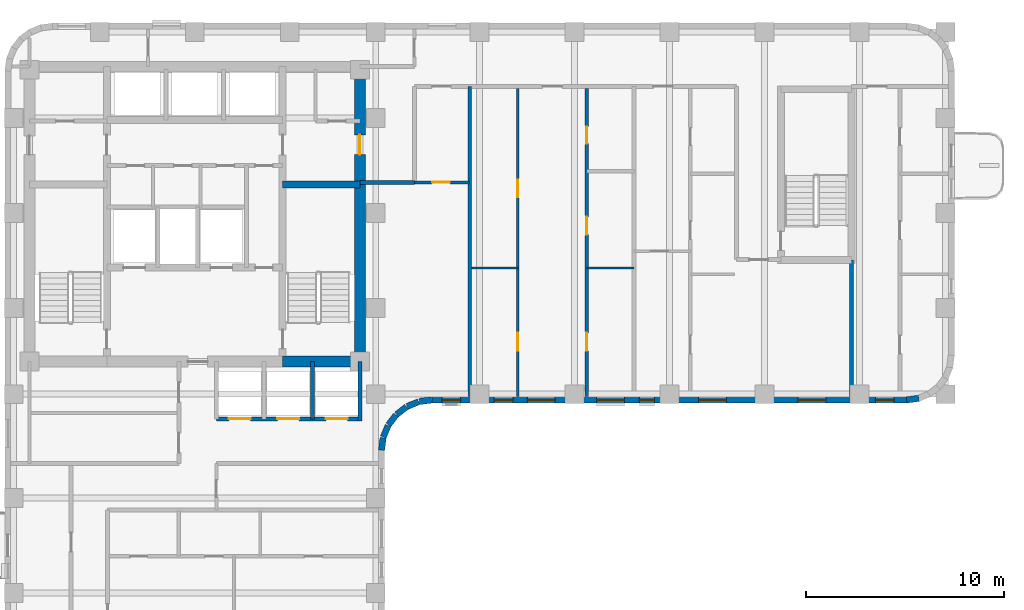
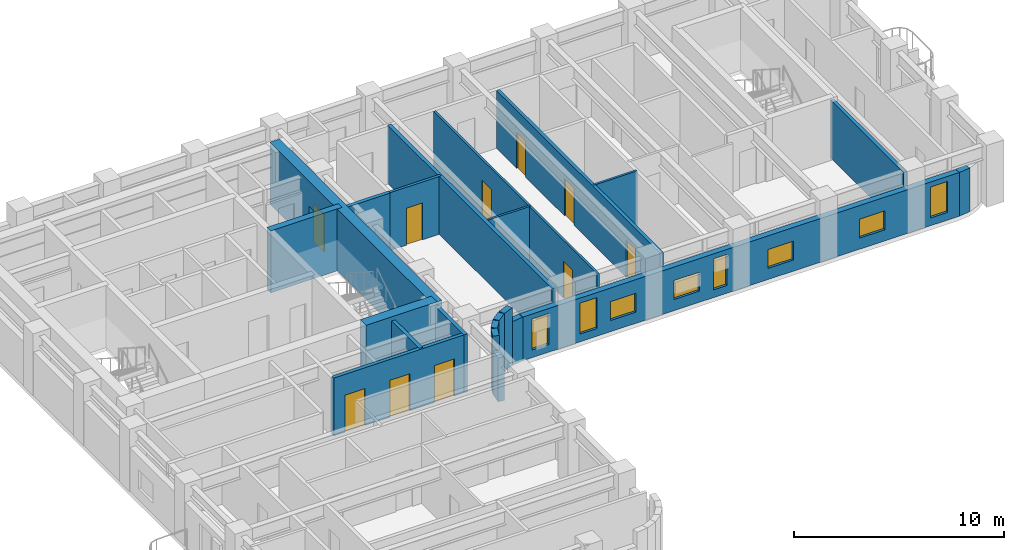
# One storey, part 6 of 11: 22 walls, 10 doors, 8 windows, 18 openings.
"""IFC4 building model written with IfcOpenShell, lengths in metres."""

from ifc_helpers import new_model, si_unit, direction, frame, frame_2d, origin, place, context, subcontext, project, spatial, rectangle, extrude, material, layer, layer_set, type_object, element, fill, save


model = new_model("IFC4")

# Units and contexts
model_context = context("Model", 3, precision=1e-05, world=origin(), true_north=direction((0.0, 1.0)))
body_context = subcontext(model_context, "Body", "Model", "MODEL_VIEW")
ifc_project = project(units=[si_unit("LENGTHUNIT", "METRE"), si_unit("AREAUNIT", "SQUARE_METRE"), si_unit("VOLUMEUNIT", "CUBIC_METRE"), si_unit("PLANEANGLEUNIT", "RADIAN"), si_unit("MASSUNIT", "GRAM", prefix="KILO")], contexts=[model_context])

# Site, building, storey
site_placement = place(None, origin())
site = spatial("IfcSite", under=ifc_project, at=site_placement, CompositionType="ELEMENT")
building_placement = place(site_placement, origin())
building = spatial("IfcBuilding", under=site, at=building_placement, Name="Orvandelia Arch Residences", CompositionType="ELEMENT")
storey_placement = place(building_placement, frame((0.0, 0.0, 146.800048828125)))
storey = spatial("IfcBuildingStorey", under=building, at=storey_placement, Name="L38", CompositionType="ELEMENT", Elevation=146.800048828125)

# Wall
ifc_material_1 = material(Name="Concrete C50/60", Category="concrete")
ifc_layer_1 = layer(ifc_material_1, 0.35009765625, Name="Concrete C50/60", Category="concrete")
ifc_layer_set_1 = layer_set([ifc_layer_1], Name="Concrete C50/60")
wall_type_1 = type_object("IfcWallType", Name="WL-CORE-350", PredefinedType="SHEAR", material=ifc_layer_set_1)
wall_1_placement = place(storey_placement, frame((18.840087890625, 39.85009765625, 0.0), z_axis=(0.0, 0.0, 1.0), x_axis=(1.0, 0.0, 0.0)))
element("IfcWall", 1, at=wall_1_placement, inside=storey, type_object=wall_type_1, Name="Core Shear Wall L38-HZ2", PredefinedType="SHEAR", context=body_context, shape_type="SweptSolid", body=[
    extrude(rectangle(XDim=3.909912109375, YDim=0.35009765625, at=frame_2d((1.955078125, 0.0))), origin(), (0.0, 0.0, 1.0), 3.599853515625),
])

# Wall, opening, door
ifc_material_2 = material(Name="Concrete C60/75", Category="concrete")
ifc_layer_2 = layer(ifc_material_2, 0.550048828125, Name="Concrete C60/75", Category="concrete")
ifc_layer_set_2 = layer_set([ifc_layer_2], Name="Concrete C60/75")
wall_type_2 = type_object("IfcWallType", Name="WL-CORE-550", PredefinedType="SHEAR", material=ifc_layer_set_2)
wall_2_placement = place(storey_placement, frame((22.75, 30.625, 0.0), z_axis=(0.0, 0.0, 1.0), x_axis=(0.0, 1.0, 0.0)))
wall_2 = element("IfcWall", 2, at=wall_2_placement, inside=storey, type_object=wall_type_2, Name="Core Shear Wall L38-E", PredefinedType="SHEAR", context=body_context, shape_type="SweptSolid", body=[
    extrude(rectangle(XDim=15.449951171875, YDim=0.550048828125, at=frame_2d((7.72509765625, 0.0))), origin(), (0.0, 0.0, 1.0), 3.599853515625),
])
opening_1_placement = place(wall_2_placement, frame((10.72509765625, 0.0, 0.0)))
opening_1 = element("IfcOpeningElement", 3, at=opening_1_placement, cuts=wall_2, Name="Opening D6", PredefinedType="OPENING", context=body_context, shape_type="SweptSolid", body=[
    extrude(rectangle(XDim=1.0, YDim=2.14990234375, at=frame_2d((0.5, 1.074951171875))), frame((0.0, 0.28515625, 0.0), z_axis=(0.0, -1.0, 0.0), x_axis=(1.0, 0.0, 0.0)), (0.0, 0.0, 1.0), 0.570068359375),
])
ifc_material_3 = material(Name="Smokeproof Painted Steel Fire Door", Category="steel")
door_type_1 = type_object("IfcDoorType", Name="DR-FD60-1000", OperationType="NOTDEFINED", PredefinedType="DOOR", material=ifc_material_3)
door_1_placement = place(opening_1_placement, origin())
door_1 = element("IfcDoor", 4, at=door_1_placement, inside=storey, type_object=door_type_1, Name="Core East Corridor Link Door L38", OperationType="SINGLE_SWING_LEFT", OverallHeight=2.14990234375, OverallWidth=1.0, PredefinedType="DOOR", context=body_context, shape_type="SweptSolid", body=[
    extrude(rectangle(XDim=1.0, YDim=2.14990234375, at=frame_2d((0.5, 1.074951171875))), frame((0.0, 0.02490234375, 0.0), z_axis=(0.0, -1.0, 0.0), x_axis=(1.0, 0.0, 0.0)), (0.0, 0.0, 1.0), 0.050048828125),
])
fill(opening_1, door_1)

# Walls
wall_3_placement = place(storey_placement, frame((18.840087890625, 30.89990234375, 0.0), z_axis=(0.0, 0.0, 1.0), x_axis=(1.0, 0.0, 0.0)))
element("IfcWall", 5, at=wall_3_placement, inside=storey, type_object=wall_type_2, Name="Core Shear Wall L38-SE", PredefinedType="SHEAR", context=body_context, shape_type="SweptSolid", body=[
    extrude(rectangle(XDim=3.909912109375, YDim=0.550048828125, at=frame_2d((1.955078125, 0.0))), origin(), (0.0, 0.0, 1.0), 3.599853515625),
])
ifc_material_4 = material(Name="Fire-Rated Corridor Partition")
ifc_layer_3 = layer(ifc_material_4, 0.199951171875, Name="Fire-Rated Corridor Partition")
ifc_layer_set_3 = layer_set([ifc_layer_3], Name="Fire-Rated Corridor Partition")
wall_type_3 = type_object("IfcWallType", Name="WL-CORR-200", PredefinedType="PARTITIONING", material=ifc_layer_set_3)
wall_4_placement = place(storey_placement, frame((22.75, 39.949951171875, 0.0), z_axis=(0.0, 0.0, 1.0), x_axis=(1.0, 0.0, 0.0)))
element("IfcWall", 6, at=wall_4_placement, inside=storey, type_object=wall_type_3, Name="Interior Partition Wall WL-L38-EN2-LS", PredefinedType="PARTITIONING", context=body_context, shape_type="SweptSolid", body=[
    extrude(rectangle(XDim=2.75, YDim=0.199951171875, at=frame_2d((1.375, 0.0))), origin(), (0.0, 0.0, 1.0), 3.35986328125),
])
ifc_material_5 = material(Name="Concrete C40/50", Category="concrete")
ifc_layer_4 = layer(ifc_material_5, 0.199951171875, Name="Concrete C40/50", Category="concrete")
ifc_layer_set_4 = layer_set([ifc_layer_4], Name="Concrete C40/50")
wall_type_4 = type_object("IfcWallType", Name="WL-DEM-200", PredefinedType="SOLIDWALL", material=ifc_layer_set_4)
wall_5_placement = place(storey_placement, frame((28.300048828125, 29.1201171875, 0.0), z_axis=(0.0, 0.0, 1.0), x_axis=(0.0, 1.0, 0.0)))
element("IfcWall", 7, at=wall_5_placement, inside=storey, type_object=wall_type_4, Name="Interior Partition Wall WL-L38-EN2-KLE", PredefinedType="SOLIDWALL", context=body_context, shape_type="SweptSolid", body=[
    extrude(rectangle(XDim=15.679931640625, YDim=0.199951171875, at=frame_2d((7.83984375, 0.0))), origin(), (0.0, 0.0, 1.0), 3.35986328125),
])
wall_6_placement = place(storey_placement, frame((47.60009765625, 29.1201171875, 0.0), z_axis=(0.0, 0.0, 1.0), x_axis=(0.0, 1.0, 0.0)))
element("IfcWall", 8, at=wall_6_placement, inside=storey, type_object=wall_type_4, Name="Interior Partition Wall WL-L38-EN2-SLE", PredefinedType="SOLIDWALL", context=body_context, shape_type="SweptSolid", body=[
    extrude(rectangle(XDim=6.919921875, YDim=0.199951171875, at=frame_2d((3.4599609375, 0.0))), origin(), (0.0, 0.0, 1.0), 3.35986328125),
])
ifc_material_6 = material(Name="Precast concrete C40/50", Category="concrete")
ifc_layer_5 = layer(ifc_material_6, 0.320068359375, Name="Precast concrete C40/50", Category="concrete")
ifc_layer_set_5 = layer_set([ifc_layer_5], Name="Precast concrete C40/50")
wall_type_5 = type_object("IfcWallType", Name="WL-EXT-STONE-320", PredefinedType="STANDARD", material=ifc_layer_set_5)
wall_7_placement = place(storey_placement, frame((51.000244140625, 29.040283203125, 0.0), z_axis=(0.0, 0.0, 1.0), x_axis=(-0.9914410257, -0.130555323746, 0.0)))
element("IfcWall", 9, at=wall_7_placement, inside=storey, type_object=wall_type_5, Name="Coral-Limestone Precast Facade Wall L38-020", PredefinedType="STANDARD", context=body_context, shape_type="SweptSolid", body=[
    extrude(rectangle(XDim=0.62646484375, YDim=0.320068359375, at=frame_2d((0.313232421875, 0.0))), origin(), (0.0, 0.0, 1.0), 2.5400390625),
])

# Wall, openings, windows
wall_8_placement = place(storey_placement, frame((50.39990234375, 28.9599609375, 0.0), z_axis=(0.0, 0.0, 1.0), x_axis=(-1.0, 0.0, 0.0)))
wall_8 = element("IfcWall", 10, at=wall_8_placement, inside=storey, type_object=wall_type_5, Name="Coral-Limestone Precast Facade Wall L38-021", PredefinedType="STANDARD", context=body_context, shape_type="SweptSolid", body=[
    extrude(rectangle(XDim=24.0, YDim=0.320068359375, at=frame_2d((12.0, 0.0))), origin(), (0.0, 0.0, 1.0), 2.5400390625),
])
opening_2_placement = place(wall_8_placement, frame((14.2900390625, 0.0, 0.64990234375)))
opening_2 = element("IfcOpeningElement", 11, at=opening_2_placement, cuts=wall_8, Name="Opening W10", PredefinedType="OPENING", context=body_context, shape_type="SweptSolid", body=[
    extrude(rectangle(XDim=1.39990234375, YDim=1.10009765625, at=frame_2d((0.699951171875, 0.550048828125))), frame((0.0, 0.169921875, 0.0), z_axis=(0.0, -1.0, 0.0), x_axis=(1.0, 0.0, 0.0)), (0.0, 0.0, 1.0), 0.340087890625),
])
opening_3_placement = place(wall_8_placement, frame((19.912109375, 0.0, 0.449951171875)))
opening_3 = element("IfcOpeningElement", 12, at=opening_3_placement, cuts=wall_8, Name="Opening W4", PredefinedType="OPENING", context=body_context, shape_type="SweptSolid", body=[
    extrude(rectangle(XDim=0.949951171875, YDim=1.800048828125, at=frame_2d((0.47509765625, 0.89990234375))), frame((0.0, 0.169921875, 0.0), z_axis=(0.0, -1.0, 0.0), x_axis=(1.0, 0.0, 0.0)), (0.0, 0.0, 1.0), 0.340087890625),
])
opening_4_placement = place(wall_8_placement, frame((9.135009765625, 0.0, 0.64990234375)))
opening_4 = element("IfcOpeningElement", 13, at=opening_4_placement, cuts=wall_8, Name="Opening W10", PredefinedType="OPENING", context=body_context, shape_type="SweptSolid", body=[
    extrude(rectangle(XDim=1.39990234375, YDim=1.10009765625, at=frame_2d((0.699951171875, 0.550048828125))), frame((0.0, 0.169921875, 0.0), z_axis=(0.0, -1.0, 0.0), x_axis=(1.0, 0.0, 0.0)), (0.0, 0.0, 1.0), 0.340087890625),
])
opening_5_placement = place(wall_8_placement, frame((22.554931640625, 0.0, 0.449951171875)))
opening_5 = element("IfcOpeningElement", 14, at=opening_5_placement, cuts=wall_8, Name="Opening W4", PredefinedType="OPENING", context=body_context, shape_type="SweptSolid", body=[
    extrude(rectangle(XDim=0.949951171875, YDim=1.800048828125, at=frame_2d((0.47509765625, 0.89990234375))), frame((0.0, 0.169921875, 0.0), z_axis=(0.0, -1.0, 0.0), x_axis=(1.0, 0.0, 0.0)), (0.0, 0.0, 1.0), 0.340087890625),
])
opening_6_placement = place(wall_8_placement, frame((4.10009765625, 0.0, 0.64990234375)))
opening_6 = element("IfcOpeningElement", 15, at=opening_6_placement, cuts=wall_8, Name="Opening W10", PredefinedType="OPENING", context=body_context, shape_type="SweptSolid", body=[
    extrude(rectangle(XDim=1.39990234375, YDim=1.10009765625, at=frame_2d((0.699951171875, 0.550048828125))), frame((0.0, 0.169921875, 0.0), z_axis=(0.0, -1.0, 0.0), x_axis=(1.0, 0.0, 0.0)), (0.0, 0.0, 1.0), 0.340087890625),
])
opening_7_placement = place(wall_8_placement, frame((17.781982421875, 0.0, 0.64990234375)))
opening_7 = element("IfcOpeningElement", 16, at=opening_7_placement, cuts=wall_8, Name="Opening W10", PredefinedType="OPENING", context=body_context, shape_type="SweptSolid", body=[
    extrude(rectangle(XDim=1.39990234375, YDim=1.10009765625, at=frame_2d((0.699951171875, 0.550048828125))), frame((0.0, 0.169921875, 0.0), z_axis=(0.0, -1.0, 0.0), x_axis=(1.0, 0.0, 0.0)), (0.0, 0.0, 1.0), 0.340087890625),
])
opening_8_placement = place(wall_8_placement, frame((12.7724609375, 0.0, 0.449951171875)))
opening_8 = element("IfcOpeningElement", 17, at=opening_8_placement, cuts=wall_8, Name="Opening W11", PredefinedType="OPENING", context=body_context, shape_type="SweptSolid", body=[
    extrude(rectangle(XDim=0.75, YDim=1.800048828125, at=frame_2d((0.375, 0.89990234375))), frame((0.0, 0.169921875, 0.0), z_axis=(0.0, -1.0, 0.0), x_axis=(1.0, 0.0, 0.0)), (0.0, 0.0, 1.0), 0.340087890625),
])
opening_9_placement = place(wall_8_placement, frame((0.656005859375, 0.0, 0.449951171875)))
opening_9 = element("IfcOpeningElement", 18, at=opening_9_placement, cuts=wall_8, Name="Opening W4", PredefinedType="OPENING", context=body_context, shape_type="SweptSolid", body=[
    extrude(rectangle(XDim=0.949951171875, YDim=1.800048828125, at=frame_2d((0.47509765625, 0.89990234375))), frame((0.0, 0.169921875, 0.0), z_axis=(0.0, -1.0, 0.0), x_axis=(1.0, 0.0, 0.0)), (0.0, 0.0, 1.0), 0.340087890625),
])
ifc_material_7 = material(Name="Tempered Low-E Insulated Glazing", Category="glass")
window_type_1 = type_object("IfcWindowType", Name="WIN-BED-0750x1800", PartitioningType="SINGLE_PANEL", PredefinedType="WINDOW", material=ifc_material_7)
window_1_placement = place(opening_8_placement, origin())
window_1 = element("IfcWindow", 19, at=window_1_placement, inside=storey, type_object=window_type_1, Name="Recessed Punched Window L38-012", OverallHeight=1.800048828125, OverallWidth=0.75, PartitioningType="SINGLE_PANEL", PredefinedType="WINDOW", context=body_context, shape_type="SweptSolid", body=[
    extrude(rectangle(XDim=0.75, YDim=1.800048828125, at=frame_2d((0.375, 0.89990234375))), frame((0.0, 0.030029296875, 0.0), z_axis=(0.0, -1.0, 0.0), x_axis=(1.0, 0.0, 0.0)), (0.0, 0.0, 1.0), 0.06005859375),
])
fill(opening_8, window_1)
window_type_2 = type_object("IfcWindowType", Name="WIN-CLR-1400x1100", PartitioningType="SINGLE_PANEL", PredefinedType="WINDOW", material=ifc_material_7)
window_2_placement = place(opening_2_placement, origin())
window_2 = element("IfcWindow", 20, at=window_2_placement, inside=storey, type_object=window_type_2, Name="Recessed Punched Window L38-006", OverallHeight=1.10009765625, OverallWidth=1.39990234375, PartitioningType="SINGLE_PANEL", PredefinedType="WINDOW", context=body_context, shape_type="SweptSolid", body=[
    extrude(rectangle(XDim=1.39990234375, YDim=1.10009765625, at=frame_2d((0.699951171875, 0.550048828125))), frame((0.0, 0.030029296875, 0.0), z_axis=(0.0, -1.0, 0.0), x_axis=(1.0, 0.0, 0.0)), (0.0, 0.0, 1.0), 0.06005859375),
])
fill(opening_2, window_2)
window_3_placement = place(opening_4_placement, origin())
window_3 = element("IfcWindow", 21, at=window_3_placement, inside=storey, type_object=window_type_2, Name="Recessed Punched Window L38-008", OverallHeight=1.10009765625, OverallWidth=1.39990234375, PartitioningType="SINGLE_PANEL", PredefinedType="WINDOW", context=body_context, shape_type="SweptSolid", body=[
    extrude(rectangle(XDim=1.39990234375, YDim=1.10009765625, at=frame_2d((0.699951171875, 0.550048828125))), frame((0.0, 0.030029296875, 0.0), z_axis=(0.0, -1.0, 0.0), x_axis=(1.0, 0.0, 0.0)), (0.0, 0.0, 1.0), 0.06005859375),
])
fill(opening_4, window_3)
window_4_placement = place(opening_6_placement, origin())
window_4 = element("IfcWindow", 22, at=window_4_placement, inside=storey, type_object=window_type_2, Name="Recessed Punched Window L38-010", OverallHeight=1.10009765625, OverallWidth=1.39990234375, PartitioningType="SINGLE_PANEL", PredefinedType="WINDOW", context=body_context, shape_type="SweptSolid", body=[
    extrude(rectangle(XDim=1.39990234375, YDim=1.10009765625, at=frame_2d((0.699951171875, 0.550048828125))), frame((0.0, 0.030029296875, 0.0), z_axis=(0.0, -1.0, 0.0), x_axis=(1.0, 0.0, 0.0)), (0.0, 0.0, 1.0), 0.06005859375),
])
fill(opening_6, window_4)
window_5_placement = place(opening_7_placement, origin())
window_5 = element("IfcWindow", 23, at=window_5_placement, inside=storey, type_object=window_type_2, Name="Recessed Punched Window L38-011", OverallHeight=1.10009765625, OverallWidth=1.39990234375, PartitioningType="SINGLE_PANEL", PredefinedType="WINDOW", context=body_context, shape_type="SweptSolid", body=[
    extrude(rectangle(XDim=1.39990234375, YDim=1.10009765625, at=frame_2d((0.699951171875, 0.550048828125))), frame((0.0, 0.030029296875, 0.0), z_axis=(0.0, -1.0, 0.0), x_axis=(1.0, 0.0, 0.0)), (0.0, 0.0, 1.0), 0.06005859375),
])
fill(opening_7, window_5)
window_type_3 = type_object("IfcWindowType", Name="WIN-RES-0950x1800", PartitioningType="SINGLE_PANEL", PredefinedType="WINDOW", material=ifc_material_7)
window_6_placement = place(opening_3_placement, origin())
window_6 = element("IfcWindow", 24, at=window_6_placement, inside=storey, type_object=window_type_3, Name="Recessed Punched Window L38-007", OverallHeight=1.800048828125, OverallWidth=0.949951171875, PartitioningType="SINGLE_PANEL", PredefinedType="WINDOW", context=body_context, shape_type="SweptSolid", body=[
    extrude(rectangle(XDim=0.949951171875, YDim=1.800048828125, at=frame_2d((0.47509765625, 0.89990234375))), frame((0.0, 0.030029296875, 0.0), z_axis=(0.0, -1.0, 0.0), x_axis=(1.0, 0.0, 0.0)), (0.0, 0.0, 1.0), 0.06005859375),
])
fill(opening_3, window_6)
window_7_placement = place(opening_5_placement, origin())
window_7 = element("IfcWindow", 25, at=window_7_placement, inside=storey, type_object=window_type_3, Name="Recessed Punched Window L38-009", OverallHeight=1.800048828125, OverallWidth=0.949951171875, PartitioningType="SINGLE_PANEL", PredefinedType="WINDOW", context=body_context, shape_type="SweptSolid", body=[
    extrude(rectangle(XDim=0.949951171875, YDim=1.800048828125, at=frame_2d((0.47509765625, 0.89990234375))), frame((0.0, 0.030029296875, 0.0), z_axis=(0.0, -1.0, 0.0), x_axis=(1.0, 0.0, 0.0)), (0.0, 0.0, 1.0), 0.06005859375),
])
fill(opening_5, window_7)
window_8_placement = place(opening_9_placement, origin())
window_8 = element("IfcWindow", 26, at=window_8_placement, inside=storey, type_object=window_type_3, Name="Recessed Punched Window L38-013", OverallHeight=1.800048828125, OverallWidth=0.949951171875, PartitioningType="SINGLE_PANEL", PredefinedType="WINDOW", context=body_context, shape_type="SweptSolid", body=[
    extrude(rectangle(XDim=0.949951171875, YDim=1.800048828125, at=frame_2d((0.47509765625, 0.89990234375))), frame((0.0, 0.030029296875, 0.0), z_axis=(0.0, -1.0, 0.0), x_axis=(1.0, 0.0, 0.0)), (0.0, 0.0, 1.0), 0.06005859375),
])
fill(opening_9, window_8)

# Walls
wall_9_placement = place(storey_placement, frame((26.379150390625, 28.95849609375, 0.0), z_axis=(0.0, 0.0, 1.0), x_axis=(-0.991447664465, -0.130504898859, 0.0)))
element("IfcWall", 27, at=wall_9_placement, inside=storey, type_object=wall_type_5, Name="Coral-Limestone Precast Facade Wall L38-022", PredefinedType="STANDARD", context=body_context, shape_type="SweptSolid", body=[
    extrude(rectangle(XDim=0.626708984375, YDim=0.320068359375, at=frame_2d((0.3134765625, 0.0))), origin(), (0.0, 0.0, 1.0), 2.5400390625),
])
wall_10_placement = place(storey_placement, frame((25.717529296875, 28.865966796875, 0.0), z_axis=(0.0, 0.0, 1.0), x_axis=(-0.923836271867, -0.382787856107, 0.0)))
element("IfcWall", 28, at=wall_10_placement, inside=storey, type_object=wall_type_5, Name="Coral-Limestone Precast Facade Wall L38-023", PredefinedType="STANDARD", context=body_context, shape_type="SweptSolid", body=[
    extrude(rectangle(XDim=0.626220703125, YDim=0.320068359375, at=frame_2d((0.31298828125, 0.0))), origin(), (0.0, 0.0, 1.0), 3.35986328125),
])
for number, where, z_axis, x_axis, name in (
    (29, (25.1025390625, 28.60546875, 0.0), (0.0, 0.0, 1.0), (-0.793405610854, -0.608693302629, 0.0), "Coral-Limestone Precast Facade Wall L38-024"),
    (30, (24.575927734375, 28.194580078125, 0.0), (0.0, 0.0, 1.0), (-0.608693302629, -0.793405610854, 0.0), "Coral-Limestone Precast Facade Wall L38-025"),
):
    element("IfcWall", number, at=place(storey_placement, frame(where, z_axis=z_axis, x_axis=x_axis)), inside=storey, type_object=wall_type_5, Name=name, PredefinedType="STANDARD", context=body_context, shape_type="SweptSolid", body=[
        extrude(rectangle(XDim=0.62646484375, YDim=0.320068359375, at=frame_2d((0.313232421875, 0.0))), origin(), (0.0, 0.0, 1.0), 3.35986328125),
    ])
wall_11_placement = place(storey_placement, frame((24.173583984375, 27.6611328125, 0.0), z_axis=(0.0, 0.0, 1.0), x_axis=(-0.382455093999, -0.923974080304, 0.0)))
element("IfcWall", 31, at=wall_11_placement, inside=storey, type_object=wall_type_5, Name="Coral-Limestone Precast Facade Wall L38-026", PredefinedType="STANDARD", context=body_context, shape_type="SweptSolid", body=[
    extrude(rectangle(XDim=0.626220703125, YDim=0.320068359375, at=frame_2d((0.31298828125, 0.0))), origin(), (0.0, 0.0, 1.0), 3.35986328125),
])
wall_12_placement = place(storey_placement, frame((23.923095703125, 27.0419921875, 0.0), z_axis=(0.0, 0.0, 1.0), x_axis=(-0.130555323746, -0.9914410257, 0.0)))
element("IfcWall", 32, at=wall_12_placement, inside=storey, type_object=wall_type_5, Name="Coral-Limestone Precast Facade Wall L38-027", PredefinedType="STANDARD", context=body_context, shape_type="SweptSolid", body=[
    extrude(rectangle(XDim=0.62646484375, YDim=0.320068359375, at=frame_2d((0.313232421875, 0.0))), origin(), (0.0, 0.0, 1.0), 2.5400390625),
])

# Wall, openings, doors
ifc_material_8 = material(Name="Lightweight Gypsum Stud Partition")
ifc_layer_6 = layer(ifc_material_8, 0.1201171875, Name="Lightweight Gypsum Stud Partition")
ifc_layer_set_6 = layer_set([ifc_layer_6], Name="Lightweight Gypsum Stud Partition")
wall_type_6 = type_object("IfcWallType", Name="WL-PART-120", PredefinedType="PARTITIONING", material=ifc_layer_set_6)
wall_13_placement = place(storey_placement, frame((30.73095703125, 29.1201171875, 0.0), z_axis=(0.0, 0.0, 1.0), x_axis=(0.0, 1.0, 0.0)))
wall_13 = element("IfcWall", 33, at=wall_13_placement, inside=storey, type_object=wall_type_6, Name="Interior Partition Wall WL-L38-U03-VB", PredefinedType="PARTITIONING", context=body_context, shape_type="SweptSolid", body=[
    extrude(rectangle(XDim=15.579833984375, YDim=0.1201171875, at=frame_2d((7.7900390625, 0.0))), origin(), (0.0, 0.0, 1.0), 3.35986328125),
])
opening_10_placement = place(wall_13_placement, frame((2.323486328125, 0.0, 0.0)))
opening_10 = element("IfcOpeningElement", 34, at=opening_10_placement, cuts=wall_13, Name="Opening D3", PredefinedType="OPENING", context=body_context, shape_type="SweptSolid", body=[
    extrude(rectangle(XDim=0.89990234375, YDim=2.14990234375, at=frame_2d((0.449951171875, 1.074951171875))), frame((0.0, 0.070068359375, 0.0), z_axis=(0.0, -1.0, 0.0), x_axis=(1.0, 0.0, 0.0)), (0.0, 0.0, 1.0), 0.14013671875),
])
opening_11_placement = place(wall_13_placement, frame((10.073486328125, 0.0, 0.0)))
opening_11 = element("IfcOpeningElement", 35, at=opening_11_placement, cuts=wall_13, Name="Opening D3", PredefinedType="OPENING", context=body_context, shape_type="SweptSolid", body=[
    extrude(rectangle(XDim=0.89990234375, YDim=2.14990234375, at=frame_2d((0.449951171875, 1.074951171875))), frame((0.0, 0.070068359375, 0.0), z_axis=(0.0, -1.0, 0.0), x_axis=(1.0, 0.0, 0.0)), (0.0, 0.0, 1.0), 0.14013671875),
])
ifc_material_9 = material(Name="Engineered Timber Flush Door", Category="wood")
door_type_2 = type_object("IfcDoorType", Name="DR-INT-900", OperationType="NOTDEFINED", PredefinedType="DOOR", material=ifc_material_9)
door_2_placement = place(opening_10_placement, origin())
door_2 = element("IfcDoor", 36, at=door_2_placement, inside=storey, type_object=door_type_2, Name="DR-L38-U03-BD2", OperationType="SINGLE_SWING_RIGHT", OverallHeight=2.14990234375, OverallWidth=0.89990234375, PredefinedType="DOOR", context=body_context, shape_type="SweptSolid", body=[
    extrude(rectangle(XDim=0.89990234375, YDim=2.14990234375, at=frame_2d((0.449951171875, 1.074951171875))), frame((0.0, 0.02490234375, 0.0), z_axis=(0.0, -1.0, 0.0), x_axis=(1.0, 0.0, 0.0)), (0.0, 0.0, 1.0), 0.050048828125),
])
fill(opening_10, door_2)
door_3_placement = place(opening_11_placement, origin())
door_3 = element("IfcDoor", 37, at=door_3_placement, inside=storey, type_object=door_type_2, Name="DR-L38-U03-STDY", OperationType="SINGLE_SWING_LEFT", OverallHeight=2.14990234375, OverallWidth=0.89990234375, PredefinedType="DOOR", context=body_context, shape_type="SweptSolid", body=[
    extrude(rectangle(XDim=0.89990234375, YDim=2.14990234375, at=frame_2d((0.449951171875, 1.074951171875))), frame((0.0, 0.02490234375, 0.0), z_axis=(0.0, -1.0, 0.0), x_axis=(1.0, 0.0, 0.0)), (0.0, 0.0, 1.0), 0.050048828125),
])
fill(opening_11, door_3)

# Walls
wall_14_placement = place(storey_placement, frame((28.39990234375, 35.62890625, 0.0), z_axis=(0.0, 0.0, 1.0), x_axis=(1.0, 0.0, 0.0)))
element("IfcWall", 38, at=wall_14_placement, inside=storey, type_object=wall_type_6, Name="Interior Partition Wall WL-L38-U03-HB", PredefinedType="PARTITIONING", context=body_context, shape_type="SweptSolid", body=[
    extrude(rectangle(XDim=2.3310546875, YDim=0.1201171875, at=frame_2d((1.16552734375, 0.0))), origin(), (0.0, 0.0, 1.0), 3.35986328125),
])
wall_15_placement = place(storey_placement, frame((34.219970703125, 35.62890625, 0.0), z_axis=(0.0, 0.0, 1.0), x_axis=(1.0, 0.0, 0.0)))
element("IfcWall", 39, at=wall_15_placement, inside=storey, type_object=wall_type_6, Name="Interior Partition Wall WL-L38-U03-H1", PredefinedType="PARTITIONING", context=body_context, shape_type="SweptSolid", body=[
    extrude(rectangle(XDim=2.380126953125, YDim=0.1201171875, at=frame_2d((1.18994140625, 0.0))), origin(), (0.0, 0.0, 1.0), 3.35986328125),
])

# Wall, opening, door
ifc_material_10 = material(Name="Acoustic Gypsum Stud Partition")
ifc_layer_7 = layer(ifc_material_10, 0.14990234375, Name="Acoustic Gypsum Stud Partition")
ifc_layer_set_7 = layer_set([ifc_layer_7], Name="Acoustic Gypsum Stud Partition")
wall_type_7 = type_object("IfcWallType", Name="WL-PART-150", PredefinedType="PARTITIONING", material=ifc_layer_set_7)
wall_16_placement = place(storey_placement, frame((25.5, 39.949951171875, 0.0), z_axis=(0.0, 0.0, 1.0), x_axis=(1.0, 0.0, 0.0)))
wall_16 = element("IfcWall", 40, at=wall_16_placement, inside=storey, type_object=wall_type_7, Name="Interior Partition Wall WL-L38-EN2-KLN", PredefinedType="PARTITIONING", context=body_context, shape_type="SweptSolid", body=[
    extrude(rectangle(XDim=2.800048828125, YDim=0.14990234375, at=frame_2d((1.39990234375, 0.0))), origin(), (0.0, 0.0, 1.0), 3.35986328125),
])
opening_12_placement = place(wall_16_placement, frame((0.89990234375, 0.0, 0.0)))
opening_12 = element("IfcOpeningElement", 41, at=opening_12_placement, cuts=wall_16, Name="Opening D3", PredefinedType="OPENING", context=body_context, shape_type="SweptSolid", body=[
    extrude(rectangle(XDim=0.89990234375, YDim=2.14990234375, at=frame_2d((0.449951171875, 1.074951171875))), frame((0.0, 0.0849609375, 0.0), z_axis=(0.0, -1.0, 0.0), x_axis=(1.0, 0.0, 0.0)), (0.0, 0.0, 1.0), 0.169921875),
])
door_4_placement = place(opening_12_placement, origin())
door_4 = element("IfcDoor", 42, at=door_4_placement, inside=storey, type_object=door_type_2, Name="DR-L38-EN2KNK", OperationType="SINGLE_SWING_RIGHT", OverallHeight=2.14990234375, OverallWidth=0.89990234375, PredefinedType="DOOR", context=body_context, shape_type="SweptSolid", body=[
    extrude(rectangle(XDim=0.89990234375, YDim=2.14990234375, at=frame_2d((0.449951171875, 1.074951171875))), frame((0.0, 0.02490234375, 0.0), z_axis=(0.0, -1.0, 0.0), x_axis=(1.0, 0.0, 0.0)), (0.0, 0.0, 1.0), 0.050048828125),
])
fill(opening_12, door_4)

# Wall, openings, doors
ifc_material_11 = material(Name="Fire-Rated Shaft Enclosure Wall")
ifc_layer_8 = layer(ifc_material_11, 0.199951171875, Name="Fire-Rated Shaft Enclosure Wall")
ifc_layer_set_8 = layer_set([ifc_layer_8], Name="Fire-Rated Shaft Enclosure Wall")
wall_type_8 = type_object("IfcWallType", Name="WL-SHAFT-200", PredefinedType="POLYGONAL", material=ifc_layer_set_8)
wall_17_placement = place(storey_placement, frame((15.5, 28.0, 0.0), z_axis=(0.0, 0.0, 1.0), x_axis=(1.0, 0.0, 0.0)))
wall_17 = element("IfcWall", 43, at=wall_17_placement, inside=storey, type_object=wall_type_8, Name="Interior Partition Wall WL-L38-BNKM-S", PredefinedType="POLYGONAL", context=body_context, shape_type="SweptSolid", body=[
    extrude(rectangle(XDim=7.25, YDim=0.199951171875, at=frame_2d((3.625, 0.0))), origin(), (0.0, 0.0, 1.0), 3.35986328125),
])
opening_13_placement = place(wall_17_placement, frame((0.625, 0.0, 0.0)))
opening_13 = element("IfcOpeningElement", 44, at=opening_13_placement, cuts=wall_17, Name="Opening LD", PredefinedType="OPENING", context=body_context, shape_type="SweptSolid", body=[
    extrude(rectangle(XDim=1.10009765625, YDim=2.14990234375, at=frame_2d((0.550048828125, 1.074951171875))), frame((0.0, 0.10986328125, 0.0), z_axis=(0.0, -1.0, 0.0), x_axis=(1.0, 0.0, 0.0)), (0.0, 0.0, 1.0), 0.219970703125),
])
opening_14_placement = place(wall_17_placement, frame((3.074951171875, 0.0, 0.0)))
opening_14 = element("IfcOpeningElement", 45, at=opening_14_placement, cuts=wall_17, Name="Opening LD", PredefinedType="OPENING", context=body_context, shape_type="SweptSolid", body=[
    extrude(rectangle(XDim=1.10009765625, YDim=2.14990234375, at=frame_2d((0.550048828125, 1.074951171875))), frame((0.0, 0.10986328125, 0.0), z_axis=(0.0, -1.0, 0.0), x_axis=(1.0, 0.0, 0.0)), (0.0, 0.0, 1.0), 0.219970703125),
])
opening_15_placement = place(wall_17_placement, frame((5.52490234375, 0.0, 0.0)))
opening_15 = element("IfcOpeningElement", 46, at=opening_15_placement, cuts=wall_17, Name="Opening LD", PredefinedType="OPENING", context=body_context, shape_type="SweptSolid", body=[
    extrude(rectangle(XDim=1.10009765625, YDim=2.14990234375, at=frame_2d((0.550048828125, 1.074951171875))), frame((0.0, 0.10986328125, 0.0), z_axis=(0.0, -1.0, 0.0), x_axis=(1.0, 0.0, 0.0)), (0.0, 0.0, 1.0), 0.219970703125),
])
ifc_material_12 = material(Name="Brushed Stainless Steel Sliding Lift Door", Category="steel")
door_type_3 = type_object("IfcDoorType", Name="DR-LIFT-1100", OperationType="NOTDEFINED", PredefinedType="DOOR", material=ifc_material_12)
door_5_placement = place(opening_13_placement, origin())
door_5 = element("IfcDoor", 47, at=door_5_placement, inside=storey, type_object=door_type_3, Name="Lift Landing Door LD-PM1", OperationType="SLIDING_TO_LEFT", OverallHeight=2.14990234375, OverallWidth=1.10009765625, PredefinedType="DOOR", context=body_context, shape_type="SweptSolid", body=[
    extrude(rectangle(XDim=1.10009765625, YDim=2.14990234375, at=frame_2d((0.550048828125, 1.074951171875))), frame((0.0, 0.02490234375, 0.0), z_axis=(0.0, -1.0, 0.0), x_axis=(1.0, 0.0, 0.0)), (0.0, 0.0, 1.0), 0.050048828125),
])
fill(opening_13, door_5)
door_6_placement = place(opening_14_placement, origin())
door_6 = element("IfcDoor", 48, at=door_6_placement, inside=storey, type_object=door_type_3, Name="Lift Landing Door LD-PM2", OperationType="SLIDING_TO_RIGHT", OverallHeight=2.14990234375, OverallWidth=1.10009765625, PredefinedType="DOOR", context=body_context, shape_type="SweptSolid", body=[
    extrude(rectangle(XDim=1.10009765625, YDim=2.14990234375, at=frame_2d((0.550048828125, 1.074951171875))), frame((0.0, 0.02490234375, 0.0), z_axis=(0.0, -1.0, 0.0), x_axis=(1.0, 0.0, 0.0)), (0.0, 0.0, 1.0), 0.050048828125),
])
fill(opening_14, door_6)
door_7_placement = place(opening_15_placement, origin())
door_7 = element("IfcDoor", 49, at=door_7_placement, inside=storey, type_object=door_type_3, Name="Lift Landing Door LD-PM3", OperationType="SLIDING_TO_LEFT", OverallHeight=2.14990234375, OverallWidth=1.10009765625, PredefinedType="DOOR", context=body_context, shape_type="SweptSolid", body=[
    extrude(rectangle(XDim=1.10009765625, YDim=2.14990234375, at=frame_2d((0.550048828125, 1.074951171875))), frame((0.0, 0.02490234375, 0.0), z_axis=(0.0, -1.0, 0.0), x_axis=(1.0, 0.0, 0.0)), (0.0, 0.0, 1.0), 0.050048828125),
])
fill(opening_15, door_7)

# Walls
wall_18_placement = place(storey_placement, frame((22.75, 27.89990234375, 0.0), z_axis=(0.0, 0.0, 1.0), x_axis=(0.0, 1.0, 0.0)))
element("IfcWall", 50, at=wall_18_placement, inside=storey, type_object=wall_type_8, Name="Interior Partition Wall WL-L38-BNKM-E", PredefinedType="POLYGONAL", context=body_context, shape_type="SweptSolid", body=[
    extrude(rectangle(XDim=3.0, YDim=0.199951171875, at=frame_2d((1.5, 0.0))), origin(), (0.0, 0.0, 1.0), 3.35986328125),
])
wall_19_placement = place(storey_placement, frame((20.35009765625, 28.0, 0.0), z_axis=(0.0, 0.0, 1.0), x_axis=(0.0, 1.0, 0.0)))
element("IfcWall", 51, at=wall_19_placement, inside=storey, type_object=wall_type_8, Name="Interior Partition Wall WL-L38-BNKMD-2035", PredefinedType="POLYGONAL", context=body_context, shape_type="SweptSolid", body=[
    extrude(rectangle(XDim=2.89990234375, YDim=0.199951171875, at=frame_2d((1.449951171875, 0.0))), origin(), (0.0, 0.0, 1.0), 3.35986328125),
])

# Wall, openings, doors
ifc_material_13 = material(Name="Moisture-Resistant Plumbing Wall")
ifc_layer_9 = layer(ifc_material_13, 0.179931640625, Name="Moisture-Resistant Plumbing Wall")
ifc_layer_set_9 = layer_set([ifc_layer_9], Name="Moisture-Resistant Plumbing Wall")
wall_type_9 = type_object("IfcWallType", Name="WL-WET-180", PredefinedType="PLUMBINGWALL", material=ifc_layer_set_9)
wall_20_placement = place(storey_placement, frame((34.219970703125, 29.1201171875, 0.0), z_axis=(0.0, 0.0, 1.0), x_axis=(0.0, 1.0, 0.0)))
wall_20 = element("IfcWall", 52, at=wall_20_placement, inside=storey, type_object=wall_type_9, Name="Interior Partition Wall WL-L38-U03-VT", PredefinedType="PLUMBINGWALL", context=body_context, shape_type="SweptSolid", body=[
    extrude(rectangle(XDim=15.579833984375, YDim=0.179931640625, at=frame_2d((7.7900390625, 0.0))), origin(), (0.0, 0.0, 1.0), 3.35986328125),
])
opening_16_placement = place(wall_20_placement, frame((2.323486328125, 0.0, 0.0)))
opening_16 = element("IfcOpeningElement", 53, at=opening_16_placement, cuts=wall_20, Name="Opening D3", PredefinedType="OPENING", context=body_context, shape_type="SweptSolid", body=[
    extrude(rectangle(XDim=0.89990234375, YDim=2.14990234375, at=frame_2d((0.449951171875, 1.074951171875))), frame((0.0, 0.10009765625, 0.0), z_axis=(0.0, -1.0, 0.0), x_axis=(1.0, 0.0, 0.0)), (0.0, 0.0, 1.0), 0.199951171875),
])
opening_17_placement = place(wall_20_placement, frame((8.195556640625, 0.0, 0.0)))
opening_17 = element("IfcOpeningElement", 54, at=opening_17_placement, cuts=wall_20, Name="Opening D3", PredefinedType="OPENING", context=body_context, shape_type="SweptSolid", body=[
    extrude(rectangle(XDim=0.89990234375, YDim=2.14990234375, at=frame_2d((0.449951171875, 1.074951171875))), frame((0.0, 0.10009765625, 0.0), z_axis=(0.0, -1.0, 0.0), x_axis=(1.0, 0.0, 0.0)), (0.0, 0.0, 1.0), 0.199951171875),
])
opening_18_placement = place(wall_20_placement, frame((12.789794921875, 0.0, 0.0)))
opening_18 = element("IfcOpeningElement", 55, at=opening_18_placement, cuts=wall_20, Name="Opening D4", PredefinedType="OPENING", context=body_context, shape_type="SweptSolid", body=[
    extrude(rectangle(XDim=0.860107421875, YDim=2.10009765625, at=frame_2d((0.43017578125, 1.050048828125))), frame((0.0, 0.10009765625, 0.0), z_axis=(0.0, -1.0, 0.0), x_axis=(1.0, 0.0, 0.0)), (0.0, 0.0, 1.0), 0.199951171875),
])
door_8_placement = place(opening_16_placement, origin())
door_8 = element("IfcDoor", 56, at=door_8_placement, inside=storey, type_object=door_type_2, Name="DR-L38-U03-BD1", OperationType="SINGLE_SWING_LEFT", OverallHeight=2.14990234375, OverallWidth=0.89990234375, PredefinedType="DOOR", context=body_context, shape_type="SweptSolid", body=[
    extrude(rectangle(XDim=0.89990234375, YDim=2.14990234375, at=frame_2d((0.449951171875, 1.074951171875))), frame((0.0, 0.02490234375, 0.0), z_axis=(0.0, -1.0, 0.0), x_axis=(1.0, 0.0, 0.0)), (0.0, 0.0, 1.0), 0.050048828125),
])
fill(opening_16, door_8)
door_9_placement = place(opening_17_placement, origin())
door_9 = element("IfcDoor", 57, at=door_9_placement, inside=storey, type_object=door_type_2, Name="DR-L38-U03-KIT", OperationType="SINGLE_SWING_RIGHT", OverallHeight=2.14990234375, OverallWidth=0.89990234375, PredefinedType="DOOR", context=body_context, shape_type="SweptSolid", body=[
    extrude(rectangle(XDim=0.89990234375, YDim=2.14990234375, at=frame_2d((0.449951171875, 1.074951171875))), frame((0.0, 0.02490234375, 0.0), z_axis=(0.0, -1.0, 0.0), x_axis=(1.0, 0.0, 0.0)), (0.0, 0.0, 1.0), 0.050048828125),
])
fill(opening_17, door_9)
ifc_material_14 = material(Name="Moisture-Sealed Timber Bathroom Door", Category="wood")
door_type_4 = type_object("IfcDoorType", Name="DR-WET-900", OperationType="NOTDEFINED", PredefinedType="DOOR", material=ifc_material_14)
door_10_placement = place(opening_18_placement, origin())
door_10 = element("IfcDoor", 58, at=door_10_placement, inside=storey, type_object=door_type_4, Name="DR-L38-U03-BTH", OperationType="SINGLE_SWING_LEFT", OverallHeight=2.10009765625, OverallWidth=0.860107421875, PredefinedType="DOOR", context=body_context, shape_type="SweptSolid", body=[
    extrude(rectangle(XDim=0.860107421875, YDim=2.10009765625, at=frame_2d((0.43017578125, 1.050048828125))), frame((0.0, 0.02490234375, 0.0), z_axis=(0.0, -1.0, 0.0), x_axis=(1.0, 0.0, 0.0)), (0.0, 0.0, 1.0), 0.050048828125),
])
fill(opening_18, door_10)

save(model, "model.ifc")
